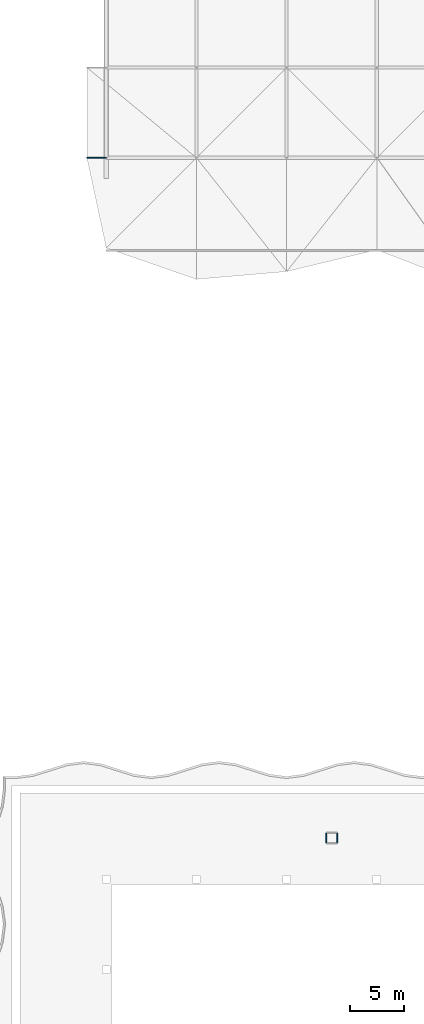
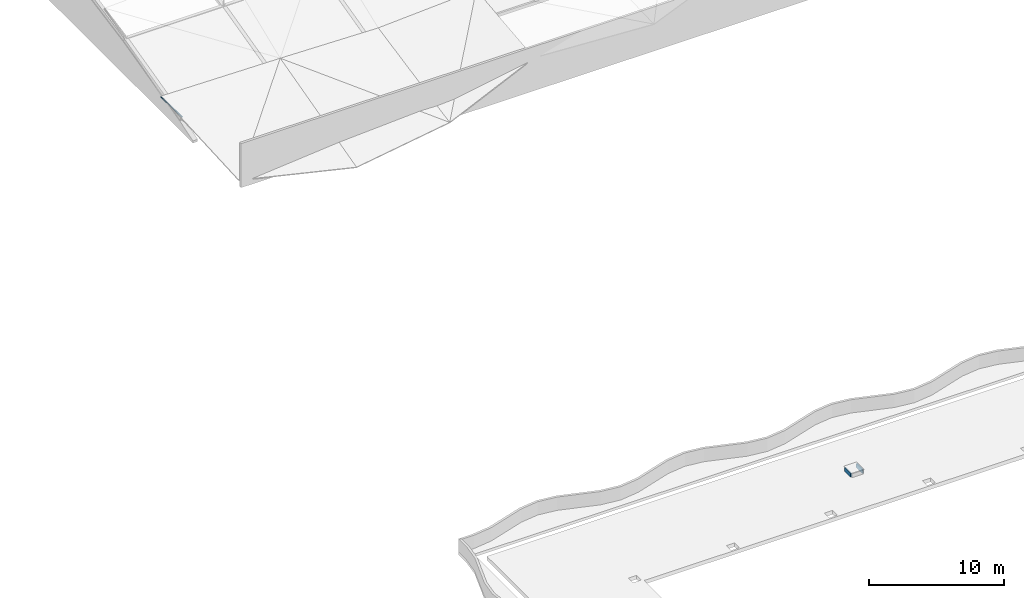
# One storey, part 22 of 111: 2 walls, 1 discrete accessory.
"""IFC4 building model written with IfcOpenShell, lengths in metres."""

from ifc_helpers import new_model, si_unit, direction, frame, frame_2d, origin, origin_2d, place, context, subcontext, project, spatial, rectangle, hollow_circle, extrude, material, layer, layer_set, material_profile, profile_set, type_object, element, save


model = new_model("IFC4")

# Units and contexts
model_context = context("Model", 3, precision=1e-05, world=origin(), true_north=direction((0.0, 1.0)))
body_context = subcontext(model_context, "Body", "Model", "MODEL_VIEW")
ifc_project = project(units=[si_unit("LENGTHUNIT", "METRE"), si_unit("AREAUNIT", "SQUARE_METRE"), si_unit("VOLUMEUNIT", "CUBIC_METRE"), si_unit("PLANEANGLEUNIT", "RADIAN"), si_unit("MASSUNIT", "GRAM", prefix="KILO")], contexts=[model_context])

# Site, building, storey
site_placement = place(None, origin())
site = spatial("IfcSite", under=ifc_project, at=site_placement, CompositionType="ELEMENT")
building_placement = place(site_placement, origin())
building = spatial("IfcBuilding", under=site, at=building_placement, Name="Rain Tree Exposition and Congress Centre", CompositionType="ELEMENT")
storey_placement = place(building_placement, frame((0.0, 0.0, 19.5)))
storey = spatial("IfcBuildingStorey", under=building, at=storey_placement, Name="RF", CompositionType="ELEMENT", Elevation=19.5)

# Walls
ifc_material_1 = material(Name="Dense blockwork", Category="masonry")
ifc_layer = layer(ifc_material_1, 0.10009765625)
ifc_layer_set = layer_set([ifc_layer], Name="Dense blockwork")
wall_type = type_object("IfcWallType", Name="Roof access kerb 100", PredefinedType="SOLIDWALL", material=ifc_layer_set)
for number, where, z_axis, x_axis, name in (
    (1, (28.89990234375, 45.39990234375, 0.0), (0.0, 0.0, 1.0), (0.0, 1.0, 0.0), "Roof access kerb west"),
    (2, (29.89990234375, 45.39990234375, 0.0), (0.0, 0.0, 1.0), (0.0, 1.0, 0.0), "Roof access kerb east"),
):
    element("IfcWall", number, at=place(storey_placement, frame(where, z_axis=z_axis, x_axis=x_axis)), inside=storey, type_object=wall_type, Name=name, PredefinedType="SOLIDWALL", context=body_context, shape_type="SweptSolid", body=[
        extrude(rectangle(XDim=0.900146484375, YDim=0.10009765625, at=frame_2d((0.4501953125, 0.0))), origin(), (0.0, 0.0, 1.0), 0.35009765625),
    ])

# Discrete accessory
ifc_material_2 = material(Name="Steel S355J2H", Category="steel")
ifc_material_profile = material_profile(ifc_material_2, hollow_circle(Radius=0.05712890625, WallThickness=0.00439453125, at=origin_2d()), Name="CHS 114x4.5")
ifc_profile_set = profile_set([ifc_material_profile], Name="Steel S355J2H")
discrete_accessory_type = type_object("IfcDiscreteAccessoryType", Name="Roof skin post CHS 114x4.5", PredefinedType="BRACKET", material=ifc_profile_set)
discrete_accessory_placement = place(storey_placement, frame((8.39990234375, 109.199951171875, 1.11669921875), z_axis=(-0.591353230846, 0.0, 0.806412646459), x_axis=(0.0, -1.0, 0.0)))
element("IfcDiscreteAccessory", 3, at=discrete_accessory_placement, inside=storey, type_object=discrete_accessory_type, Name="Roof skin post A16", PredefinedType="BRACKET", context=body_context, shape_type="SweptSolid", body=[
    extrude(hollow_circle(Radius=0.05712890625, WallThickness=0.00439453125, at=origin_2d()), origin(), (0.0, 0.0, 1.0), 3.04345703125),
])

save(model, "model.ifc")
